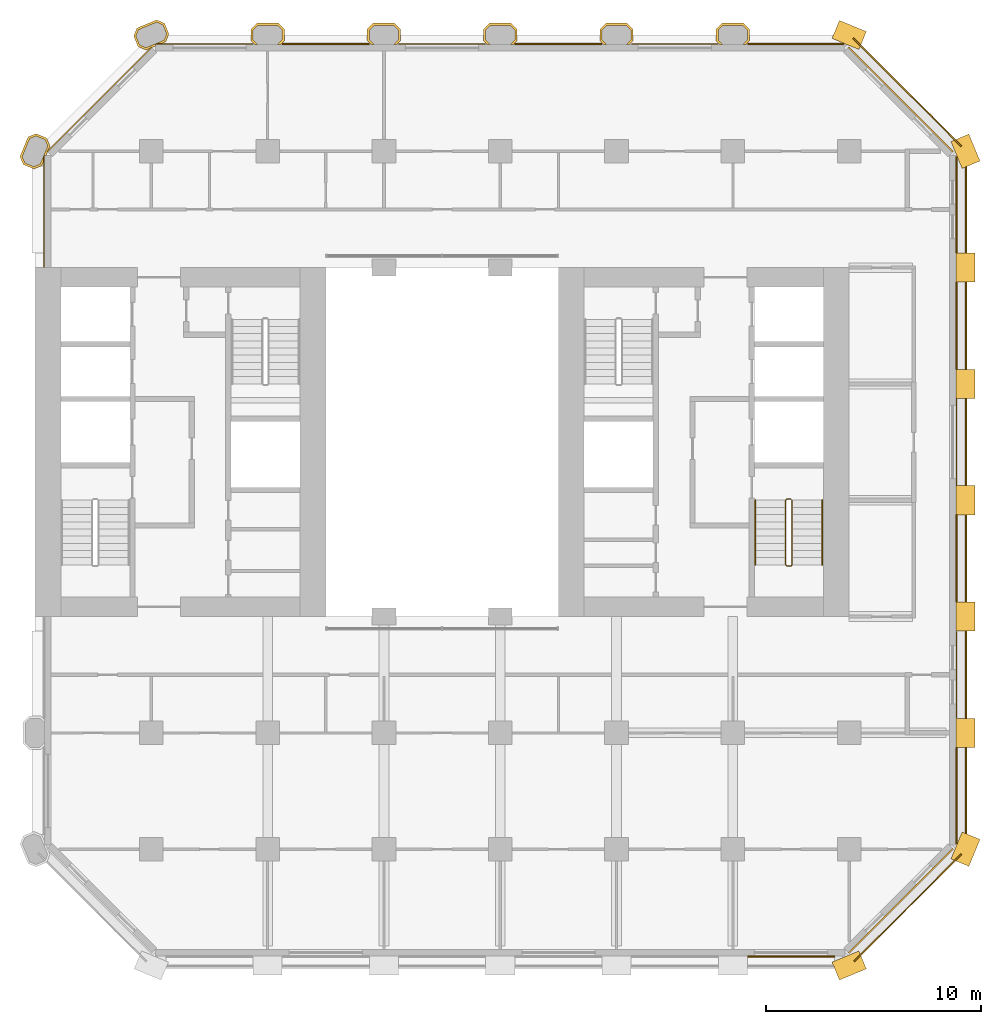
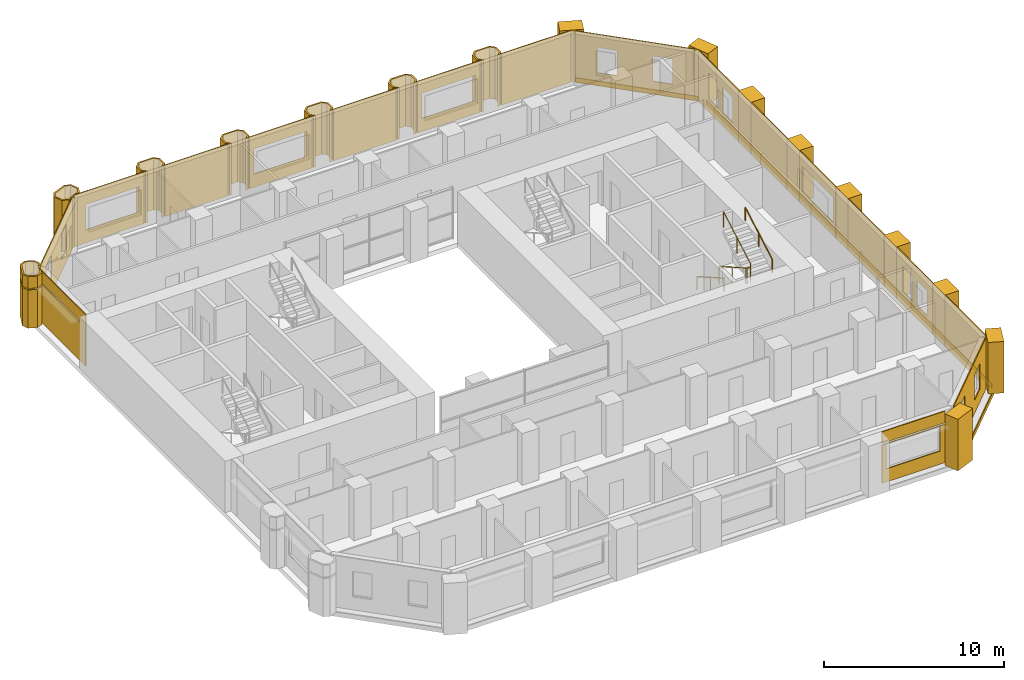
# One storey, part 14 of 14: 38 coverings, 3 railings.
"""IFC4 building model written with IfcOpenShell, lengths in metres."""

import ifcopenshell
import ifcopenshell.guid

model = None  # the IFC model being written
_history = None  # IfcOwnerHistory: only IFC2X3 demands one
_inside = {}  # id of a spatial element -> (the spatial element, [elements in it])
_under = {}  # id of a project, library or spatial element -> (it, [spatial elements below it])
_declared = {}  # id of a project -> (the project, [libraries it declares])
_typed = {}  # id of a type object -> (the type object, [elements of that type])
_made_of = {}  # id of a material, layer set ... -> (it, [elements and type objects made of it])


def new_model(schema):
    """Start an empty IFC model of exactly this schema.

    Asked for "IFC4X3", IfcOpenShell would pick the latest addendum, in which some entities
    have other attributes; the version numbers below select the first issue.
    IFC2X3 requires an IfcOwnerHistory on every rooted entity: one is made here for all.
    """
    global model, _history
    if schema == "IFC4X3":
        model = ifcopenshell.file(schema_version=(4, 3, 0, 0))
    else:
        model = ifcopenshell.file(schema=schema)
    _inside.clear()
    _under.clear()
    _declared.clear()
    _typed.clear()
    _made_of.clear()
    _history = None
    if model.schema == "IFC2X3":
        org = make("IfcOrganization", Name="unknown")
        user = make(
            "IfcPersonAndOrganization",
            ThePerson=make("IfcPerson", FamilyName="unknown"),
            TheOrganization=org,
        )
        app = make(
            "IfcApplication",
            ApplicationDeveloper=org,
            Version="unknown",
            ApplicationFullName="unknown",
            ApplicationIdentifier="unknown",
        )
        _history = make(
            "IfcOwnerHistory",
            OwningUser=user,
            OwningApplication=app,
            ChangeAction="ADDED",
            CreationDate=0,
        )
    return model


def make(cls, **values):
    """One entity of the class cls with the attributes given. An attribute that is None is left unset."""
    return model.create_entity(
        cls, **{name: value for name, value in values.items() if value is not None}
    )


def rooted(cls, **values):
    """An entity with a GlobalId (a new one), such as an element, a storey or a relation."""
    return make(cls, GlobalId=ifcopenshell.guid.new(), OwnerHistory=_history, **values)


def si_unit(unit_type, name, prefix=None):
    """IfcSIUnit, for example si_unit("LENGTHUNIT", "METRE", prefix="MILLI")."""
    return make("IfcSIUnit", UnitType=unit_type, Prefix=prefix, Name=name)


def assignment(units):
    """IfcUnitAssignment: the units of a project."""
    return None if units is None else make("IfcUnitAssignment", Units=units)


def point(xyz):
    """IfcCartesianPoint."""
    return None if xyz is None else make("IfcCartesianPoint", Coordinates=xyz)


def direction(xyz):
    """IfcDirection."""
    return None if xyz is None else make("IfcDirection", DirectionRatios=xyz)


def frame(location, z_axis=None, x_axis=None):
    """IfcAxis2Placement3D, a coordinate frame: its origin and axes. An axis left out is left unset."""
    return make(
        "IfcAxis2Placement3D",
        Location=point(location),
        Axis=direction(z_axis),
        RefDirection=direction(x_axis),
    )


def frame_2d(location, x_axis=None):
    """IfcAxis2Placement2D, a coordinate frame in the plane: its origin and x axis."""
    return make(
        "IfcAxis2Placement2D", Location=point(location), RefDirection=direction(x_axis)
    )


def origin():
    """The frame at (0, 0, 0) with its axes left unset."""
    return frame((0.0, 0.0, 0.0))


def origin_2d():
    """The frame at (0, 0) in the plane with its x axis left unset."""
    return frame_2d((0.0, 0.0))


def place(relative_to, where):
    """IfcLocalPlacement: puts the frame where relative to a parent placement (None: the world)."""
    return make(
        "IfcLocalPlacement", PlacementRelTo=relative_to, RelativePlacement=where
    )


def context(
    kind, dimensions, precision=None, world=None, true_north=None, identifier=None
):
    """IfcGeometricRepresentationContext, for example the 3D "Model" context."""
    return make(
        "IfcGeometricRepresentationContext",
        ContextIdentifier=identifier,
        ContextType=kind,
        CoordinateSpaceDimension=dimensions,
        Precision=precision,
        WorldCoordinateSystem=world,
        TrueNorth=true_north,
    )


def subcontext(parent, identifier, kind, view, scale=None):
    """IfcGeometricRepresentationSubContext, for example "Body" below "Model"."""
    return make(
        "IfcGeometricRepresentationSubContext",
        ContextIdentifier=identifier,
        ContextType=kind,
        ParentContext=parent,
        TargetScale=scale,
        TargetView=view,
    )


def project(units=None, contexts=None):
    """IfcProject with its units and contexts."""
    return rooted(
        "IfcProject",
        Name="project",
        RepresentationContexts=contexts,
        UnitsInContext=assignment(units),
    )


def spatial(cls, under=None, at=None, **own):
    """A site, building, storey or space (cls), placed at a placement, below another one or the project."""
    s = rooted(cls, ObjectPlacement=at, **own)
    if under is not None:
        _under.setdefault(under.id(), (under, []))[1].append(s)
    return s


def polyline(points):
    """IfcPolyline through the points."""
    return make("IfcPolyline", Points=[point(p) for p in points])


def profile(cls, at=None, kind="AREA", **sizes):
    """A parametric profile (cls). Its sizes go by their IFC names, for example OverallWidth=200.0."""
    return make(cls, ProfileType=kind, Position=at, **sizes)


def rectangle(**sizes):
    """IfcRectangleProfileDef."""
    return profile("IfcRectangleProfileDef", **sizes)


def circle(**sizes):
    """IfcCircleProfileDef."""
    return profile("IfcCircleProfileDef", **sizes)


def outline(outer, holes=None, kind="AREA"):
    """IfcArbitraryClosedProfileDef: a profile drawn as a closed curve; with holes, ...WithVoids."""
    if holes is None:
        return make("IfcArbitraryClosedProfileDef", ProfileType=kind, OuterCurve=outer)
    return make(
        "IfcArbitraryProfileDefWithVoids",
        ProfileType=kind,
        OuterCurve=outer,
        InnerCurves=holes,
    )


def extrude(swept, where, along, depth):
    """IfcExtrudedAreaSolid: the profile swept, set in the frame where, extruded along a direction by depth."""
    return make(
        "IfcExtrudedAreaSolid",
        SweptArea=swept,
        Position=where,
        ExtrudedDirection=direction(along),
        Depth=depth,
    )


def shape(context_of_items, identifier, shape_type, items):
    """IfcShapeRepresentation: the items that make up one representation, for example the "Body"."""
    return make(
        "IfcShapeRepresentation",
        ContextOfItems=context_of_items,
        RepresentationIdentifier=identifier,
        RepresentationType=shape_type,
        Items=items,
    )


def material(Name=None, Category=None):
    """IfcMaterial."""
    return make("IfcMaterial", Name=Name, Category=Category)


def layer(
    of_material, thickness, ventilated=None, Name=None, Category=None, Priority=None
):
    """IfcMaterialLayer: one layer of a wall or slab, of a material (None: an air gap)."""
    return make(
        "IfcMaterialLayer",
        Material=of_material,
        LayerThickness=thickness,
        IsVentilated=ventilated,
        Name=Name,
        Category=Category,
        Priority=Priority,
    )


def layer_set(layers, Name=None):
    """IfcMaterialLayerSet."""
    return make("IfcMaterialLayerSet", MaterialLayers=layers, LayerSetName=Name)


def made_of(thing, what):
    """Note that an element or type object is made of a material, layer set ...; save() writes the relation."""
    if what is not None:
        _made_of.setdefault(what.id(), (what, []))[1].append(thing)
    return thing


def type_object(cls, material=None, **own):
    """A type object (cls), such as IfcWallType, which elements share."""
    return made_of(rooted(cls, **own), material)


def element(
    cls,
    number,
    at=None,
    inside=None,
    cuts=None,
    type_object=None,
    material=None,
    context=None,
    identifier="Body",
    shape_type=None,
    held_by="IfcProductDefinitionShape",
    body=None,
    shapes=None,
    **own,
):
    """One element of the class cls, such as IfcWall. Its Tag is "e" and its number.

    at: its placement. inside: the storey or other place that contains it. cuts: it is an
    opening in that element (IfcRelVoidsElement). A single representation is given by context,
    identifier, shape_type and body (its items); several are given by shapes. held_by: the class
    of the entity that holds the representations. save() writes the other relations.
    """
    e = rooted(cls, Tag="e%d" % number, ObjectPlacement=at, **own)
    if body is not None:
        shapes = [shape(context, identifier, shape_type, body)]
    if shapes is not None:
        e.Representation = make(held_by, Representations=shapes)
    if inside is not None:
        _inside.setdefault(inside.id(), (inside, []))[1].append(e)
    if cuts is not None:
        rooted(
            "IfcRelVoidsElement", RelatingBuildingElement=cuts, RelatedOpeningElement=e
        )
    if type_object is not None:
        _typed.setdefault(type_object.id(), (type_object, []))[1].append(e)
    return made_of(e, material)


def aggregate(whole, parts):
    """IfcRelAggregates: a whole, such as a stair, and the parts it consists of."""
    return rooted("IfcRelAggregates", RelatingObject=whole, RelatedObjects=parts)


def save(model, path):
    """Write the relations noted so far, then the file.

    IfcRelAggregates (storeys below a building ...), IfcRelContainedInSpatialStructure (elements
    in a storey), IfcRelDefinesByType, IfcRelAssociatesMaterial and IfcRelDeclares: one each for
    every whole, place, type object, material and project.
    """
    for whole, parts in _under.values():
        aggregate(whole, parts)
    for where, things in _inside.values():
        rooted(
            "IfcRelContainedInSpatialStructure",
            RelatedElements=things,
            RelatingStructure=where,
        )
    for kind, things in _typed.values():
        rooted("IfcRelDefinesByType", RelatedObjects=things, RelatingType=kind)
    for what, things in _made_of.values():
        rooted("IfcRelAssociatesMaterial", RelatedObjects=things, RelatingMaterial=what)
    for by, libraries in _declared.values():
        rooted("IfcRelDeclares", RelatingContext=by, RelatedDefinitions=libraries)
    model.write(path)


model = new_model("IFC4")

# Units and contexts
model_context = context("Model", 3, precision=1e-05, world=origin(), true_north=direction((0.0, 1.0)))
body_context = subcontext(model_context, "Body", "Model", "MODEL_VIEW")
ifc_project = project(units=[si_unit("LENGTHUNIT", "METRE"), si_unit("AREAUNIT", "SQUARE_METRE"), si_unit("VOLUMEUNIT", "CUBIC_METRE"), si_unit("PLANEANGLEUNIT", "RADIAN"), si_unit("MASSUNIT", "GRAM", prefix="KILO")], contexts=[model_context])

# Site, building, storey
site_placement = place(None, origin())
site = spatial("IfcSite", under=ifc_project, at=site_placement, CompositionType="ELEMENT")
building_placement = place(site_placement, origin())
building = spatial("IfcBuilding", under=site, at=building_placement, Name="Tabaq Tower and Sports Hall", CompositionType="ELEMENT")
storey_placement = place(building_placement, frame((0.0, 0.0, 52.60009765625)))
storey = spatial("IfcBuildingStorey", under=building, at=storey_placement, Name="L11", CompositionType="ELEMENT", Elevation=52.60009765625)

# Coverings
ifc_material_1 = material(Name="Precast concrete C60/75", Category="concrete")
ifc_layer_1 = layer(ifc_material_1, 0.10009765625)
ifc_layer_set_1 = layer_set([ifc_layer_1], Name="Column cladding 100")
covering_type_1 = type_object("IfcCoveringType", Name="Column cladding 100", PredefinedType="CLADDING", material=ifc_layer_set_1)
covering_1_placement = place(storey_placement, origin())
element("IfcCovering", 1, at=covering_1_placement, inside=storey, type_object=covering_type_1, Name="Column cladding L11 PC-2H-O1", PredefinedType="CLADDING", context=body_context, shape_type="SweptSolid", body=[
    extrude(outline(polyline([(4.857421875, 37.186279296875), (4.7041015625, 37.556396484375), (5.080078125, 38.46435546875), (5.450439453125, 38.61767578125), (5.9423828125, 38.413818359375), (6.095947265625, 38.04345703125), (6.026123046875, 37.875), (5.9501953125, 37.799072265625), (5.9814453125, 37.767578125), (5.91796875, 37.614013671875), (5.849609375, 37.614013671875), (5.849609375, 37.55712890625), (5.789794921875, 37.55712890625), (5.789794921875, 37.304443359375), (5.7197265625, 37.1357421875), (5.349609375, 36.982421875), (4.857421875, 37.186279296875)]), holes=[polyline([(5.866455078125, 38.337646484375), (5.450439453125, 38.510009765625), (5.15625, 38.38818359375), (4.811767578125, 37.556396484375), (4.93359375, 37.26220703125), (5.349609375, 37.08984375), (5.643798828125, 37.2119140625), (5.98828125, 38.04345703125), (5.866455078125, 38.337646484375)])]), origin(), (0.0, 0.0, 1.0), 2.599853515625),
])
covering_2_placement = place(storey_placement, frame((0.0, 0.0, 2.699951171875)))
element("IfcCovering", 2, at=covering_2_placement, inside=storey, type_object=covering_type_1, Name="Column cladding L11 PC-2H-O1 2", PredefinedType="CLADDING", context=body_context, shape_type="SweptSolid", body=[
    extrude(outline(polyline([(4.857421875, 37.186279296875), (4.7041015625, 37.556396484375), (5.080078125, 38.46435546875), (5.450439453125, 38.61767578125), (5.9423828125, 38.413818359375), (6.095947265625, 38.04345703125), (6.026123046875, 37.875), (5.9501953125, 37.799072265625), (5.9814453125, 37.767578125), (5.91796875, 37.614013671875), (5.849609375, 37.614013671875), (5.849609375, 37.55712890625), (5.789794921875, 37.55712890625), (5.789794921875, 37.304443359375), (5.7197265625, 37.1357421875), (5.349609375, 36.982421875), (4.857421875, 37.186279296875)]), holes=[polyline([(5.866455078125, 38.337646484375), (5.450439453125, 38.510009765625), (5.15625, 38.38818359375), (4.811767578125, 37.556396484375), (4.93359375, 37.26220703125), (5.349609375, 37.08984375), (5.643798828125, 37.2119140625), (5.98828125, 38.04345703125), (5.866455078125, 38.337646484375)])]), origin(), (0.0, 0.0, 1.0), 0.800048828125),
])
covering_3_placement = place(storey_placement, origin())
element("IfcCovering", 3, at=covering_3_placement, inside=storey, type_object=covering_type_1, Name="Column cladding L11 PC-3I-O1", PredefinedType="CLADDING", context=body_context, shape_type="SweptSolid", body=[
    extrude(outline(polyline([(9.982421875, 43.149658203125), (10.1357421875, 43.519775390625), (11.04345703125, 43.895751953125), (11.413818359375, 43.742431640625), (11.61767578125, 43.25048828125), (11.46435546875, 42.880126953125), (11.295654296875, 42.810302734375), (11.04296875, 42.810302734375), (11.04296875, 42.750244140625), (10.986083984375, 42.750244140625), (10.986083984375, 42.68212890625), (10.83251953125, 42.618408203125), (10.801025390625, 42.64990234375), (10.72509765625, 42.573974609375), (10.556396484375, 42.504150390625), (10.186279296875, 42.657470703125), (9.982421875, 43.149658203125)]), holes=[polyline([(11.510009765625, 43.25048828125), (11.337646484375, 43.66650390625), (11.04345703125, 43.788330078125), (10.2119140625, 43.44384765625), (10.08984375, 43.149658203125), (10.26220703125, 42.733642578125), (10.556396484375, 42.61181640625), (11.38818359375, 42.956298828125), (11.510009765625, 43.25048828125)])]), origin(), (0.0, 0.0, 1.0), 3.5),
])
covering_4_placement = place(storey_placement, origin())
element("IfcCovering", 4, at=covering_4_placement, inside=storey, type_object=covering_type_1, Name="Column cladding L11 PC-4I-O1", PredefinedType="CLADDING", context=body_context, shape_type="SweptSolid", body=[
    extrude(outline(polyline([(15.42529296875, 43.46630859375), (15.708740234375, 43.749755859375), (16.69140625, 43.749755859375), (16.974609375, 43.46630859375), (16.974609375, 42.93359375), (16.791259765625, 42.750244140625), (16.650634765625, 42.750244140625), (16.875244140625, 42.974853515625), (16.875244140625, 43.425048828125), (16.650146484375, 43.650390625), (15.749755859375, 43.650390625), (15.524658203125, 43.425048828125), (15.524658203125, 42.974853515625), (15.749267578125, 42.750244140625), (15.608642578125, 42.750244140625), (15.42529296875, 42.93359375), (15.42529296875, 43.46630859375)])), origin(), (0.0, 0.0, 1.0), 3.5),
])
covering_5_placement = place(storey_placement, origin())
element("IfcCovering", 5, at=covering_5_placement, inside=storey, type_object=covering_type_1, Name="Column cladding L11 PC-5I-O1", PredefinedType="CLADDING", context=body_context, shape_type="SweptSolid", body=[
    extrude(outline(polyline([(20.8251953125, 43.46630859375), (21.108642578125, 43.749755859375), (22.09130859375, 43.749755859375), (22.374755859375, 43.46630859375), (22.374755859375, 42.93359375), (22.19140625, 42.750244140625), (22.05078125, 42.750244140625), (22.275390625, 42.974853515625), (22.275390625, 43.425048828125), (22.050048828125, 43.650390625), (21.14990234375, 43.650390625), (20.9248046875, 43.425048828125), (20.9248046875, 42.974853515625), (21.149169921875, 42.750244140625), (21.0087890625, 42.750244140625), (20.8251953125, 42.93359375), (20.8251953125, 43.46630859375)])), origin(), (0.0, 0.0, 1.0), 3.5),
])
covering_6_placement = place(storey_placement, origin())
element("IfcCovering", 6, at=covering_6_placement, inside=storey, type_object=covering_type_1, Name="Column cladding L11 PC-6I-O1", PredefinedType="CLADDING", context=body_context, shape_type="SweptSolid", body=[
    extrude(outline(polyline([(26.225341796875, 43.46630859375), (26.5087890625, 43.749755859375), (27.4912109375, 43.749755859375), (27.774658203125, 43.46630859375), (27.774658203125, 42.93359375), (27.59130859375, 42.750244140625), (27.45068359375, 42.750244140625), (27.67529296875, 42.974853515625), (27.67529296875, 43.425048828125), (27.4501953125, 43.650390625), (26.5498046875, 43.650390625), (26.32470703125, 43.425048828125), (26.32470703125, 42.974853515625), (26.54931640625, 42.750244140625), (26.40869140625, 42.750244140625), (26.225341796875, 42.93359375), (26.225341796875, 43.46630859375)])), origin(), (0.0, 0.0, 1.0), 3.5),
])
covering_7_placement = place(storey_placement, origin())
element("IfcCovering", 7, at=covering_7_placement, inside=storey, type_object=covering_type_1, Name="Column cladding L11 PC-7I-O1", PredefinedType="CLADDING", context=body_context, shape_type="SweptSolid", body=[
    extrude(outline(polyline([(31.625244140625, 43.46630859375), (31.90869140625, 43.749755859375), (32.891357421875, 43.749755859375), (33.1748046875, 43.46630859375), (33.1748046875, 42.93359375), (32.9912109375, 42.750244140625), (32.850830078125, 42.750244140625), (33.0751953125, 42.974853515625), (33.0751953125, 43.425048828125), (32.85009765625, 43.650390625), (31.949951171875, 43.650390625), (31.724609375, 43.425048828125), (31.724609375, 42.974853515625), (31.94921875, 42.750244140625), (31.80859375, 42.750244140625), (31.625244140625, 42.93359375), (31.625244140625, 43.46630859375)])), origin(), (0.0, 0.0, 1.0), 3.5),
])
covering_8_placement = place(storey_placement, origin())
element("IfcCovering", 8, at=covering_8_placement, inside=storey, type_object=covering_type_1, Name="Column cladding L11 PC-8I-O1", PredefinedType="CLADDING", context=body_context, shape_type="SweptSolid", body=[
    extrude(outline(polyline([(37.025390625, 43.46630859375), (37.30859375, 43.749755859375), (38.291259765625, 43.749755859375), (38.57470703125, 43.46630859375), (38.57470703125, 42.93359375), (38.391357421875, 42.750244140625), (38.250732421875, 42.750244140625), (38.475341796875, 42.974853515625), (38.475341796875, 43.425048828125), (38.250244140625, 43.650390625), (37.349853515625, 43.650390625), (37.124755859375, 43.425048828125), (37.124755859375, 42.974853515625), (37.349365234375, 42.750244140625), (37.208740234375, 42.750244140625), (37.025390625, 42.93359375), (37.025390625, 43.46630859375)])), origin(), (0.0, 0.0, 1.0), 3.5),
])
ifc_material_2 = material(Name="Precast concrete C60/75", Category="concrete")
ifc_layer_2 = layer(ifc_material_2, 0.06005859375)
ifc_layer_set_2 = layer_set([ifc_layer_2], Name="Edge beam cladding 60")
covering_type_2 = type_object("IfcCoveringType", Name="Edge beam cladding 60", PredefinedType="CLADDING", material=ifc_layer_set_2)
covering_9_placement = place(storey_placement, frame((43.432373046875, 0.18994140625, -0.300048828125), z_axis=(0.0, 0.0, 1.0), x_axis=(0.707106781187, 0.707106781187, 0.0)))
element("IfcCovering", 9, at=covering_9_placement, inside=storey, type_object=covering_type_2, Name="Edge beam cladding L11 2", PredefinedType="CLADDING", context=body_context, shape_type="SweptSolid", body=[
    extrude(rectangle(XDim=7.03955078125, YDim=0.06005859375, at=frame_2d((3.519775390625, 0.0))), origin(), (0.0, 0.0, 1.0), 0.300048828125),
])
covering_10_placement = place(storey_placement, frame((48.6298828125, 5.698486328125, -0.300048828125), z_axis=(0.0, 0.0, 1.0), x_axis=(0.0, 1.0, 0.0)))
element("IfcCovering", 10, at=covering_10_placement, inside=storey, type_object=covering_type_2, Name="Edge beam cladding L11 3", PredefinedType="CLADDING", context=body_context, shape_type="SweptSolid", body=[
    extrude(rectangle(XDim=31.802978515625, YDim=0.06005859375, at=frame_2d((15.9013671875, 0.0))), origin(), (0.0, 0.0, 1.0), 0.300048828125),
])
covering_11_placement = place(storey_placement, frame((48.41015625, 38.0322265625, -0.300048828125), z_axis=(0.0, 0.0, 1.0), x_axis=(-0.707106781187, 0.707106781187, 0.0)))
element("IfcCovering", 11, at=covering_11_placement, inside=storey, type_object=covering_type_2, Name="Edge beam cladding L11 4", PredefinedType="CLADDING", context=body_context, shape_type="SweptSolid", body=[
    extrude(rectangle(XDim=7.08837890625, YDim=0.06005859375, at=frame_2d((3.544189453125, 0.0))), origin(), (0.0, 0.0, 1.0), 0.300048828125),
])
ifc_material_3 = material(Name="White precast concrete C60/75", Category="concrete")
covering_type_3 = type_object("IfcCoveringType", Name="Pier cladding hung 1350x900", PredefinedType="CLADDING", material=ifc_material_3)
for number, where, z_axis, x_axis, name in (
    (12, (42.576416015625, -0.25830078125, 0.0), (0.0, 0.0, 1.0), (0.923893411637, 0.382649923473, 0.0), "Hung pier cladding 8/0"),
    (13, (43.82373046875, 42.941650390625, 0.0), (0.0, 0.0, 1.0), (-0.923893411637, 0.382649923473, 0.0), "Hung pier cladding 8/8"),
    (14, (48.341796875, 4.7763671875, 0.0), (0.0, 0.0, 1.0), (0.382649923473, 0.923893411637, 0.0), "Hung pier cladding 9/1"),
    (15, (48.60009765625, 10.125, 0.0), (0.0, 0.0, 1.0), (0.0, 1.0, 0.0), "Hung pier cladding 9/2"),
    (16, (48.60009765625, 15.52490234375, 0.0), (0.0, 0.0, 1.0), (0.0, 1.0, 0.0), "Hung pier cladding 9/3"),
):
    element("IfcCovering", number, at=place(storey_placement, frame(where, z_axis=z_axis, x_axis=x_axis)), inside=storey, type_object=covering_type_3, Name=name, PredefinedType="CLADDING", context=body_context, shape_type="SweptSolid", body=[
        extrude(rectangle(XDim=1.35009765625, YDim=0.89990234375, at=frame_2d((0.675048828125, 0.0))), origin(), (0.0, 0.0, 1.0), 3.5),
    ])
covering_12_placement = place(storey_placement, frame((48.60009765625, 20.925048828125, 0.0), z_axis=(0.0, 0.0, 1.0), x_axis=(0.0, 1.0, 0.0)))
element("IfcCovering", 17, at=covering_12_placement, inside=storey, type_object=covering_type_3, Name="Hung pier cladding 9/4", PredefinedType="CLADDING", context=body_context, shape_type="SweptSolid", body=[
    extrude(rectangle(XDim=1.349853515625, YDim=0.89990234375, at=frame_2d((0.6748046875, 0.0))), origin(), (0.0, 0.0, 1.0), 3.5),
])
covering_13_placement = place(storey_placement, frame((48.60009765625, 26.324951171875, 0.0), z_axis=(0.0, 0.0, 1.0), x_axis=(0.0, 1.0, 0.0)))
element("IfcCovering", 18, at=covering_13_placement, inside=storey, type_object=covering_type_3, Name="Hung pier cladding 9/5", PredefinedType="CLADDING", context=body_context, shape_type="SweptSolid", body=[
    extrude(rectangle(XDim=1.35009765625, YDim=0.89990234375, at=frame_2d((0.675048828125, 0.0))), origin(), (0.0, 0.0, 1.0), 3.5),
])
covering_14_placement = place(storey_placement, frame((48.60009765625, 31.72509765625, 0.0), z_axis=(0.0, 0.0, 1.0), x_axis=(0.0, 1.0, 0.0)))
element("IfcCovering", 19, at=covering_14_placement, inside=storey, type_object=covering_type_3, Name="Hung pier cladding 9/6", PredefinedType="CLADDING", context=body_context, shape_type="SweptSolid", body=[
    extrude(rectangle(XDim=1.349853515625, YDim=0.89990234375, at=frame_2d((0.6748046875, 0.0))), origin(), (0.0, 0.0, 1.0), 3.5),
])
covering_15_placement = place(storey_placement, frame((48.8583984375, 37.17626953125, 0.0), z_axis=(0.0, 0.0, 1.0), x_axis=(-0.382649923473, 0.923893411637, 0.0)))
element("IfcCovering", 20, at=covering_15_placement, inside=storey, type_object=covering_type_3, Name="Hung pier cladding 9/7", PredefinedType="CLADDING", context=body_context, shape_type="SweptSolid", body=[
    extrude(rectangle(XDim=1.35009765625, YDim=0.89990234375, at=frame_2d((0.675048828125, 0.0))), origin(), (0.0, 0.0, 1.0), 3.5),
])

# Railings
ifc_material_4 = material(Name="Stainless steel", Category="steel")
railing_type_1 = type_object("IfcRailingType", Name="Stair guard", PredefinedType="GUARDRAIL", material=ifc_material_4)
railing_1_placement = place(storey_placement, frame((40.5, 21.64990234375, 0.0)))
element("IfcRailing", 21, at=railing_1_placement, inside=storey, type_object=railing_type_1, Name="L11 ST3 stair guard 1", PredefinedType="GUARDRAIL", context=body_context, shape_type="SweptSolid", body=[
    extrude(circle(Radius=0.02392578125, at=origin_2d()), frame((0.0, 0.0, 1.076171875), z_axis=(-1.0, 0.0, 0.0), x_axis=(0.0, -1.0, 0.0)), (0.0, 0.0, 1.0), 0.199951171875),
    extrude(circle(Radius=0.02392578125, at=origin_2d()), frame((-0.199951171875, 0.0, 1.076171875), z_axis=(-0.246983470365, -0.245778672949, 0.937332389972), x_axis=(0.705375805398, -0.708833529934, 0.0)), (0.0, 0.0, 1.0), 0.20263671875),
    extrude(circle(Radius=0.02392578125, at=origin_2d()), frame((-0.25, -0.0498046875, 1.26611328125), z_axis=(0.0, -0.868782136927, 0.495194505781), x_axis=(1.0, 0.0, 0.0)), (0.0, 0.0, 1.0), 3.453125),
    extrude(circle(Radius=0.02392578125, at=origin_2d()), frame((-0.25, -3.0498046875, 2.97607421875), z_axis=(0.707106781187, -0.707106781187, 0.0), x_axis=(0.707106781187, 0.707106781187, 0.0)), (0.0, 0.0, 1.0), 0.07080078125),
    extrude(circle(Radius=0.02392578125, at=origin_2d()), frame((-0.199951171875, -3.099853515625, 2.97607421875), z_axis=(1.0, 0.0, 0.0), x_axis=(0.0, 1.0, 0.0)), (0.0, 0.0, 1.0), 0.199951171875),
    extrude(circle(Radius=0.02392578125, at=origin_2d()), frame((0.0, -3.099853515625, 2.97607421875), z_axis=(0.246910188598, 0.246910188598, 0.937054276727), x_axis=(-0.707106781187, 0.707106781187, 0.0)), (0.0, 0.0, 1.0), 0.20263671875),
    extrude(circle(Radius=0.02392578125, at=origin_2d()), frame((0.050048828125, -3.0498046875, 3.166015625), z_axis=(0.0, 0.868782136927, 0.495194505781), x_axis=(-1.0, 0.0, 0.0)), (0.0, 0.0, 1.0), 3.453125),
    extrude(circle(Radius=0.02099609375, at=origin_2d()), origin(), (0.0, 0.0, 1.0), 1.052001953125),
    extrude(circle(Radius=0.02099609375, at=origin_2d()), frame((-0.199951171875, 0.0, 0.0)), (0.0, 0.0, 1.0), 1.052001953125),
    extrude(circle(Radius=0.02099609375, at=origin_2d()), frame((-0.25, -0.0498046875, 0.18994140625)), (0.0, 0.0, 1.0), 1.052001953125),
    extrude(circle(Radius=0.02099609375, at=origin_2d()), frame((-0.25, -1.5498046875, 1.044921875)), (0.0, 0.0, 1.0), 1.052001953125),
    extrude(circle(Radius=0.02099609375, at=origin_2d()), frame((-0.25, -3.0498046875, 1.89990234375)), (0.0, 0.0, 1.0), 1.052001953125),
    extrude(circle(Radius=0.02099609375, at=origin_2d()), frame((-0.199951171875, -3.099853515625, 1.89990234375)), (0.0, 0.0, 1.0), 1.052001953125),
    extrude(circle(Radius=0.02099609375, at=origin_2d()), frame((0.0, -3.099853515625, 1.89990234375)), (0.0, 0.0, 1.0), 1.052001953125),
    extrude(circle(Radius=0.02099609375, at=origin_2d()), frame((0.050048828125, -3.0498046875, 2.08984375)), (0.0, 0.0, 1.0), 1.052001953125),
    extrude(circle(Radius=0.02099609375, at=origin_2d()), frame((0.050048828125, -1.5498046875, 2.94482421875)), (0.0, 0.0, 1.0), 1.052001953125),
    extrude(circle(Radius=0.02099609375, at=origin_2d()), frame((0.050048828125, -0.0498046875, 3.7998046875)), (0.0, 0.0, 1.0), 1.052001953125),
])
ifc_material_5 = material(Name="Stainless steel", Category="steel")
railing_type_2 = type_object("IfcRailingType", Name="Stair handrail", PredefinedType="HANDRAIL", material=ifc_material_5)
railing_2_placement = place(storey_placement, frame((38.85009765625, 21.60009765625, 0.18994140625)))
element("IfcRailing", 22, at=railing_2_placement, inside=storey, type_object=railing_type_2, Name="L11 ST3 stair handrail 1", PredefinedType="HANDRAIL", context=body_context, shape_type="SweptSolid", body=[
    extrude(circle(Radius=0.02392578125, at=origin_2d()), frame((0.0, 0.0, 0.8759765625), z_axis=(0.0, -0.868782136927, 0.495194505781), x_axis=(1.0, 0.0, 0.0)), (0.0, 0.0, 1.0), 3.453125),
    extrude(circle(Radius=0.02099609375, at=origin_2d()), origin(), (0.0, 0.0, 1.0), 0.851806640625),
    extrude(circle(Radius=0.02099609375, at=origin_2d()), frame((0.0, -1.5, 0.85498046875)), (0.0, 0.0, 1.0), 0.851806640625),
    extrude(circle(Radius=0.02099609375, at=origin_2d()), frame((0.0, -3.0, 1.7099609375)), (0.0, 0.0, 1.0), 0.851806640625),
])
railing_3_placement = place(storey_placement, frame((41.949951171875, 18.60009765625, 2.08984375)))
element("IfcRailing", 23, at=railing_3_placement, inside=storey, type_object=railing_type_2, Name="L11 ST3 stair handrail 2", PredefinedType="HANDRAIL", context=body_context, shape_type="SweptSolid", body=[
    extrude(circle(Radius=0.02392578125, at=origin_2d()), frame((0.0, 0.0, 0.8759765625), z_axis=(0.0, 0.868782136927, 0.495194505781), x_axis=(-1.0, 0.0, 0.0)), (0.0, 0.0, 1.0), 3.453125),
    extrude(circle(Radius=0.02099609375, at=origin_2d()), origin(), (0.0, 0.0, 1.0), 0.851806640625),
    extrude(circle(Radius=0.02099609375, at=origin_2d()), frame((0.0, 1.5, 0.85498046875)), (0.0, 0.0, 1.0), 0.851806640625),
    extrude(circle(Radius=0.02099609375, at=origin_2d()), frame((0.0, 3.0, 1.7099609375)), (0.0, 0.0, 1.0), 0.851806640625),
])

# Coverings
ifc_material_6 = material(Name="Precast concrete C60/75", Category="concrete")
ifc_layer_3 = layer(ifc_material_6, 0.06005859375)
ifc_layer_set_3 = layer_set([ifc_layer_3], Name="White precast cladding panel 60 C60/75")
covering_type_4 = type_object("IfcCoveringType", Name="White precast cladding panel 60 C60/75", PredefinedType="CLADDING", material=ifc_layer_set_3)
covering_16_placement = place(storey_placement, frame((38.485107421875, 0.419921875, 0.0), z_axis=(0.0, 0.0, 1.0), x_axis=(1.0, 0.0, 0.0)))
element("IfcCovering", 24, at=covering_16_placement, inside=storey, type_object=covering_type_4, Name="White precast cladding panel L11 wall00 11", PredefinedType="CLADDING", context=body_context, shape_type="SweptSolid", body=[
    extrude(outline(polyline([(0.0, 0.0), (4.0498046875, 0.0), (4.0498046875, 2.58984375), (0.0, 2.58984375), (0.0, 0.0)]), holes=[polyline([(3.72509765625, 0.889892578125), (0.304931640625, 0.889892578125), (0.304931640625, 2.559814453125), (3.72509765625, 2.559814453125), (3.72509765625, 0.889892578125)])]), frame((0.0, 0.030029296875, 0.0), z_axis=(0.0, -1.0, 0.0), x_axis=(1.0, 0.0, 0.0)), (0.0, 0.0, 1.0), 0.06005859375),
])
covering_17_placement = place(storey_placement, frame((38.485107421875, 0.419921875, 2.7099609375), z_axis=(0.0, 0.0, 1.0), x_axis=(1.0, 0.0, 0.0)))
element("IfcCovering", 25, at=covering_17_placement, inside=storey, type_object=covering_type_4, Name="White precast cladding panel L11 wall00 12", PredefinedType="CLADDING", context=body_context, shape_type="SweptSolid", body=[
    extrude(rectangle(XDim=4.0498046875, YDim=0.06005859375, at=frame_2d((2.02490234375, 0.0))), origin(), (0.0, 0.0, 1.0), 0.7900390625),
])
covering_18_placement = place(storey_placement, frame((43.177734375, 0.57177734375, 0.0), z_axis=(0.0, 0.0, 1.0), x_axis=(0.707106781187, 0.707106781187, 0.0)))
element("IfcCovering", 26, at=covering_18_placement, inside=storey, type_object=covering_type_4, Name="White precast cladding panel L11 wall01", PredefinedType="CLADDING", context=body_context, shape_type="SweptSolid", body=[
    extrude(outline(polyline([(0.0, 0.0), (6.85986328125, 0.0), (6.85986328125, 3.5), (0.0, 3.5), (0.0, 0.0)]), holes=[polyline([(1.269775390625, 2.60986328125), (2.389892578125, 2.60986328125), (2.389892578125, 0.889892578125), (1.269775390625, 0.889892578125), (1.269775390625, 2.60986328125)]), polyline([(4.4697265625, 2.60986328125), (5.58984375, 2.60986328125), (5.58984375, 0.889892578125), (4.4697265625, 0.889892578125), (4.4697265625, 2.60986328125)])]), frame((0.0, 0.030029296875, 0.0), z_axis=(0.0, -1.0, 0.0), x_axis=(1.0, 0.0, 0.0)), (0.0, 0.0, 1.0), 0.06005859375),
])
covering_19_placement = place(storey_placement, frame((48.179931640625, 5.64306640625, 0.0), z_axis=(0.0, 0.0, 1.0), x_axis=(0.0, 1.0, 0.0)))
element("IfcCovering", 27, at=covering_19_placement, inside=storey, type_object=covering_type_4, Name="White precast cladding panel L11 wall02", PredefinedType="CLADDING", context=body_context, shape_type="SweptSolid", body=[
    extrude(rectangle(XDim=4.471923828125, YDim=0.06005859375, at=frame_2d((2.23583984375, 0.0))), origin(), (0.0, 0.0, 1.0), 3.5),
])
covering_20_placement = place(storey_placement, frame((48.179931640625, 11.485107421875, 0.0), z_axis=(0.0, 0.0, 1.0), x_axis=(0.0, 1.0, 0.0)))
element("IfcCovering", 28, at=covering_20_placement, inside=storey, type_object=covering_type_4, Name="White precast cladding panel L11 wall02 2", PredefinedType="CLADDING", context=body_context, shape_type="SweptSolid", body=[
    extrude(outline(polyline([(0.0, 0.0), (4.02978515625, 0.0), (4.02978515625, 3.5), (0.0, 3.5), (0.0, 0.0)]), holes=[polyline([(0.655029296875, 2.60986328125), (1.77490234375, 2.60986328125), (1.77490234375, 0.889892578125), (0.655029296875, 0.889892578125), (0.655029296875, 2.60986328125)]), polyline([(2.2548828125, 2.60986328125), (3.375, 2.60986328125), (3.375, 0.889892578125), (2.2548828125, 0.889892578125), (2.2548828125, 2.60986328125)])]), frame((0.0, 0.030029296875, 0.0), z_axis=(0.0, -1.0, 0.0), x_axis=(1.0, 0.0, 0.0)), (0.0, 0.0, 1.0), 0.06005859375),
])
covering_21_placement = place(storey_placement, frame((48.179931640625, 16.885009765625, 0.0), z_axis=(0.0, 0.0, 1.0), x_axis=(0.0, 1.0, 0.0)))
element("IfcCovering", 29, at=covering_21_placement, inside=storey, type_object=covering_type_4, Name="White precast cladding panel L11 wall02 3", PredefinedType="CLADDING", context=body_context, shape_type="SweptSolid", body=[
    extrude(rectangle(XDim=4.030029296875, YDim=0.06005859375, at=frame_2d((2.01513671875, 0.0))), origin(), (0.0, 0.0, 1.0), 3.5),
])
covering_22_placement = place(storey_placement, frame((48.179931640625, 22.284912109375, 0.0), z_axis=(0.0, 0.0, 1.0), x_axis=(0.0, 1.0, 0.0)))
element("IfcCovering", 30, at=covering_22_placement, inside=storey, type_object=covering_type_4, Name="White precast cladding panel L11 wall02 4", PredefinedType="CLADDING", context=body_context, shape_type="SweptSolid", body=[
    extrude(outline(polyline([(0.0, 0.0), (4.030029296875, 0.0), (4.030029296875, 3.5), (0.0, 3.5), (0.0, 0.0)]), holes=[polyline([(0.304931640625, 0.889892578125), (0.304931640625, 2.60986328125), (3.72509765625, 2.60986328125), (3.72509765625, 0.889892578125), (0.304931640625, 0.889892578125)])]), frame((0.0, 0.030029296875, 0.0), z_axis=(0.0, -1.0, 0.0), x_axis=(1.0, 0.0, 0.0)), (0.0, 0.0, 1.0), 0.06005859375),
])
covering_23_placement = place(storey_placement, frame((48.179931640625, 27.68505859375, 0.0), z_axis=(0.0, 0.0, 1.0), x_axis=(0.0, 1.0, 0.0)))
element("IfcCovering", 31, at=covering_23_placement, inside=storey, type_object=covering_type_4, Name="White precast cladding panel L11 wall02 5", PredefinedType="CLADDING", context=body_context, shape_type="SweptSolid", body=[
    extrude(rectangle(XDim=4.030029296875, YDim=0.06005859375, at=frame_2d((2.01513671875, 0.0))), origin(), (0.0, 0.0, 1.0), 3.5),
])
covering_24_placement = place(storey_placement, frame((48.179931640625, 33.0849609375, 0.0), z_axis=(0.0, 0.0, 1.0), x_axis=(0.0, 1.0, 0.0)))
element("IfcCovering", 32, at=covering_24_placement, inside=storey, type_object=covering_type_4, Name="White precast cladding panel L11 wall02 6", PredefinedType="CLADDING", context=body_context, shape_type="SweptSolid", body=[
    extrude(outline(polyline([(0.0, 0.0), (4.471923828125, 0.0), (4.471923828125, 3.5), (0.0, 3.5), (0.0, 0.0)]), holes=[polyline([(0.655029296875, 2.60986328125), (1.77490234375, 2.60986328125), (1.77490234375, 0.889892578125), (0.655029296875, 0.889892578125), (0.655029296875, 2.60986328125)]), polyline([(2.2548828125, 2.60986328125), (3.375, 2.60986328125), (3.375, 0.889892578125), (2.2548828125, 0.889892578125), (2.2548828125, 2.60986328125)])]), frame((0.0, 0.030029296875, 0.0), z_axis=(0.0, -1.0, 0.0), x_axis=(1.0, 0.0, 0.0)), (0.0, 0.0, 1.0), 0.06005859375),
])
covering_25_placement = place(storey_placement, frame((48.0283203125, 37.77783203125, 0.0), z_axis=(0.0, 0.0, 1.0), x_axis=(-0.707124576528, 0.707088985397, 0.0)))
element("IfcCovering", 33, at=covering_25_placement, inside=storey, type_object=covering_type_4, Name="White precast cladding panel L11 wall03", PredefinedType="CLADDING", context=body_context, shape_type="SweptSolid", body=[
    extrude(outline(polyline([(0.0, 0.0), (6.859619140625, 0.0), (6.859619140625, 3.5), (0.0, 3.5), (0.0, 0.0)]), holes=[polyline([(1.269775390625, 2.60986328125), (2.389892578125, 2.60986328125), (2.389892578125, 0.889892578125), (1.269775390625, 0.889892578125), (1.269775390625, 2.60986328125)]), polyline([(4.4697265625, 2.60986328125), (5.58984375, 2.60986328125), (5.58984375, 0.889892578125), (4.4697265625, 0.889892578125), (4.4697265625, 2.60986328125)])]), frame((0.0, 0.030029296875, 0.0), z_axis=(0.0, -1.0, 0.0), x_axis=(1.0, 0.0, 0.0)), (0.0, 0.0, 1.0), 0.06005859375),
])
covering_26_placement = place(storey_placement, frame((42.956787109375, 42.780029296875, 0.0), z_axis=(0.0, 0.0, 1.0), x_axis=(-1.0, 0.0, 0.0)))
element("IfcCovering", 34, at=covering_26_placement, inside=storey, type_object=covering_type_4, Name="White precast cladding panel L11 wall04", PredefinedType="CLADDING", context=body_context, shape_type="SweptSolid", body=[
    extrude(rectangle(XDim=4.4716796875, YDim=0.06005859375, at=frame_2d((2.23583984375, 0.0))), origin(), (0.0, 0.0, 1.0), 3.5),
])
covering_27_placement = place(storey_placement, frame((37.114990234375, 42.780029296875, 0.0), z_axis=(0.0, 0.0, 1.0), x_axis=(-1.0, 0.0, 0.0)))
element("IfcCovering", 35, at=covering_27_placement, inside=storey, type_object=covering_type_4, Name="White precast cladding panel L11 wall04 2", PredefinedType="CLADDING", context=body_context, shape_type="SweptSolid", body=[
    extrude(outline(polyline([(0.0, 0.0), (4.030029296875, 0.0), (4.030029296875, 3.5), (0.0, 3.5), (0.0, 0.0)]), holes=[polyline([(0.304931640625, 0.889892578125), (0.304931640625, 2.60986328125), (3.72509765625, 2.60986328125), (3.72509765625, 0.889892578125), (0.304931640625, 0.889892578125)])]), frame((0.0, 0.030029296875, 0.0), z_axis=(0.0, -1.0, 0.0), x_axis=(1.0, 0.0, 0.0)), (0.0, 0.0, 1.0), 0.06005859375),
])
covering_28_placement = place(storey_placement, frame((31.715087890625, 42.780029296875, 0.0), z_axis=(0.0, 0.0, 1.0), x_axis=(-1.0, 0.0, 0.0)))
element("IfcCovering", 36, at=covering_28_placement, inside=storey, type_object=covering_type_4, Name="White precast cladding panel L11 wall04 3", PredefinedType="CLADDING", context=body_context, shape_type="SweptSolid", body=[
    extrude(rectangle(XDim=4.030029296875, YDim=0.06005859375, at=frame_2d((2.01513671875, 0.0))), origin(), (0.0, 0.0, 1.0), 3.5),
])
covering_29_placement = place(storey_placement, frame((26.31494140625, 42.780029296875, 0.0), z_axis=(0.0, 0.0, 1.0), x_axis=(-1.0, 0.0, 0.0)))
element("IfcCovering", 37, at=covering_29_placement, inside=storey, type_object=covering_type_4, Name="White precast cladding panel L11 wall04 4", PredefinedType="CLADDING", context=body_context, shape_type="SweptSolid", body=[
    extrude(outline(polyline([(0.0, 0.0), (4.030029296875, 0.0), (4.030029296875, 3.5), (0.0, 3.5), (0.0, 0.0)]), holes=[polyline([(0.304931640625, 0.889892578125), (0.304931640625, 2.60986328125), (3.72509765625, 2.60986328125), (3.72509765625, 0.889892578125), (0.304931640625, 0.889892578125)])]), frame((0.0, 0.030029296875, 0.0), z_axis=(0.0, -1.0, 0.0), x_axis=(1.0, 0.0, 0.0)), (0.0, 0.0, 1.0), 0.06005859375),
])
covering_30_placement = place(storey_placement, frame((20.9150390625, 42.780029296875, 0.0), z_axis=(0.0, 0.0, 1.0), x_axis=(-1.0, 0.0, 0.0)))
element("IfcCovering", 38, at=covering_30_placement, inside=storey, type_object=covering_type_4, Name="White precast cladding panel L11 wall04 5", PredefinedType="CLADDING", context=body_context, shape_type="SweptSolid", body=[
    extrude(rectangle(XDim=4.030029296875, YDim=0.06005859375, at=frame_2d((2.01513671875, 0.0))), origin(), (0.0, 0.0, 1.0), 3.5),
])
covering_31_placement = place(storey_placement, frame((15.514892578125, 42.780029296875, 0.0), z_axis=(0.0, 0.0, 1.0), x_axis=(-1.0, 0.0, 0.0)))
element("IfcCovering", 39, at=covering_31_placement, inside=storey, type_object=covering_type_4, Name="White precast cladding panel L11 wall04 6", PredefinedType="CLADDING", context=body_context, shape_type="SweptSolid", body=[
    extrude(outline(polyline([(0.0, 0.0), (4.4716796875, 0.0), (4.4716796875, 3.5), (0.0, 3.5), (0.0, 0.0)]), holes=[polyline([(0.304931640625, 0.889892578125), (0.304931640625, 2.60986328125), (3.72509765625, 2.60986328125), (3.72509765625, 0.889892578125), (0.304931640625, 0.889892578125)])]), frame((0.0, 0.030029296875, 0.0), z_axis=(0.0, -1.0, 0.0), x_axis=(1.0, 0.0, 0.0)), (0.0, 0.0, 1.0), 0.06005859375),
])
covering_32_placement = place(storey_placement, frame((10.822265625, 42.628173828125, 0.0), z_axis=(0.0, 0.0, 1.0), x_axis=(-0.707124576528, -0.707088985397, 0.0)))
element("IfcCovering", 40, at=covering_32_placement, inside=storey, type_object=covering_type_4, Name="White precast cladding panel L11 wall05", PredefinedType="CLADDING", context=body_context, shape_type="SweptSolid", body=[
    extrude(outline(polyline([(0.0, 0.0), (6.859619140625, 0.0), (6.859619140625, 3.5), (0.0, 3.5), (0.0, 0.0)]), holes=[polyline([(1.269775390625, 2.60986328125), (2.389892578125, 2.60986328125), (2.389892578125, 0.889892578125), (1.269775390625, 0.889892578125), (1.269775390625, 2.60986328125)]), polyline([(4.4697265625, 2.60986328125), (5.58984375, 2.60986328125), (5.58984375, 0.889892578125), (4.4697265625, 0.889892578125), (4.4697265625, 2.60986328125)])]), frame((0.0, 0.030029296875, 0.0), z_axis=(0.0, -1.0, 0.0), x_axis=(1.0, 0.0, 0.0)), (0.0, 0.0, 1.0), 0.06005859375),
])
covering_33_placement = place(storey_placement, frame((5.820068359375, 37.556884765625, 0.0), z_axis=(0.0, 0.0, 1.0), x_axis=(0.0, -1.0, 0.0)))
element("IfcCovering", 41, at=covering_33_placement, inside=storey, type_object=covering_type_4, Name="White precast cladding panel L11 wall06", PredefinedType="CLADDING", context=body_context, shape_type="SweptSolid", body=[
    extrude(outline(polyline([(0.0, 0.0), (5.156982421875, 0.0), (5.156982421875, 3.5), (0.0, 3.5), (0.0, 0.0)]), holes=[polyline([(0.421875, 2.58984375), (0.421875, 2.7099609375), (4.491943359375, 2.7099609375), (4.491943359375, 2.58984375), (0.421875, 2.58984375)])]), frame((0.0, 0.030029296875, 0.0), z_axis=(0.0, -1.0, 0.0), x_axis=(1.0, 0.0, 0.0)), (0.0, 0.0, 1.0), 0.06005859375),
])

save(model, "model.ifc")
